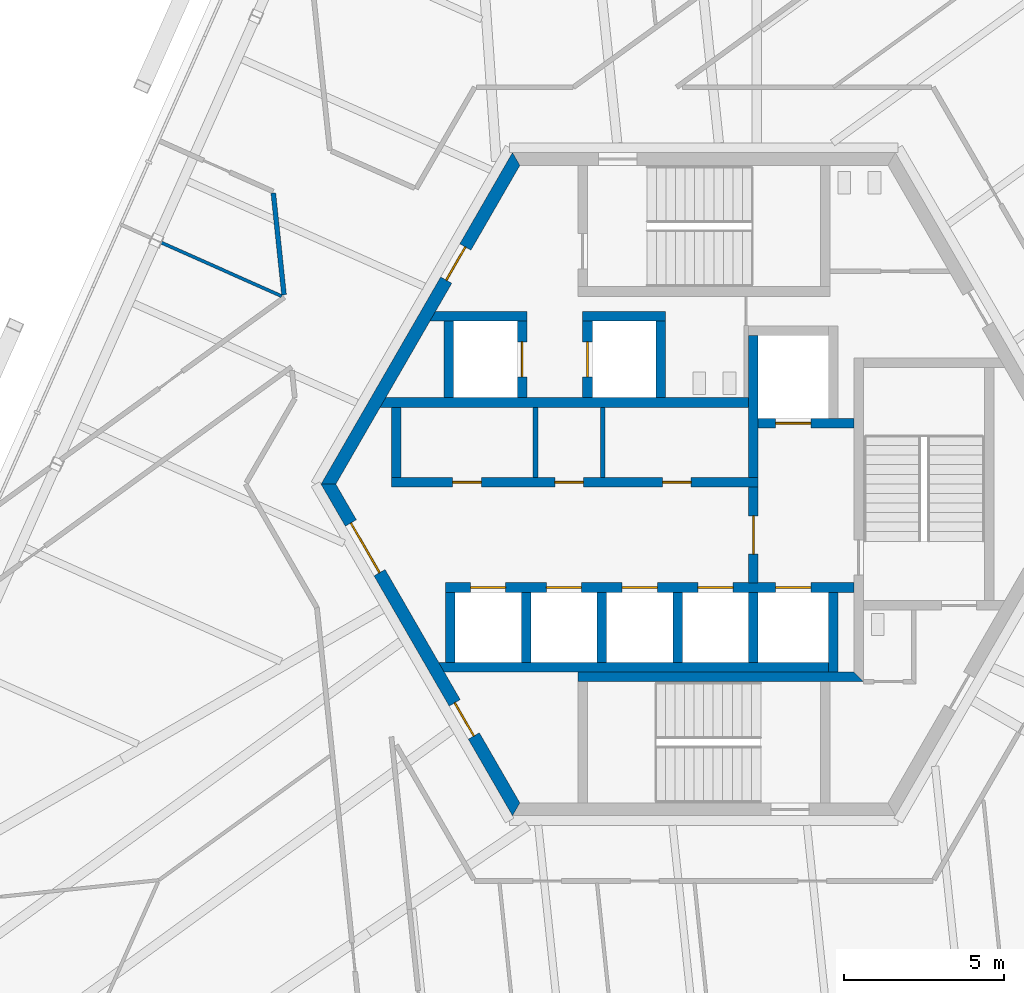
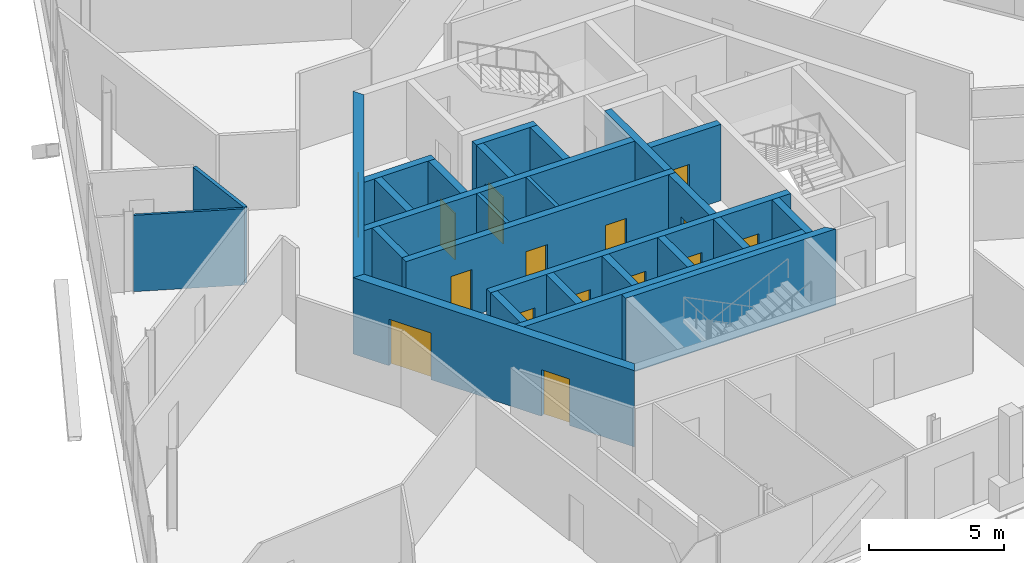
# One storey, part 12 of 18: 27 walls, 15 doors, 15 openings.
"""IFC4 building model written with IfcOpenShell, lengths in metres."""

from ifc_helpers import new_model, si_unit, direction, frame, frame_2d, origin, place, context, subcontext, project, spatial, polyline, rectangle, outline, extrude, source, transform, mapped, material, layer, layer_set, type_object, element, fill, save


model = new_model("IFC4")

# Units and contexts
model_context = context("Model", 3, precision=1e-05, world=origin(), true_north=direction((0.0, 1.0)))
body_context = subcontext(model_context, "Body", "Model", "MODEL_VIEW")
ifc_project = project(units=[si_unit("LENGTHUNIT", "METRE"), si_unit("AREAUNIT", "SQUARE_METRE"), si_unit("VOLUMEUNIT", "CUBIC_METRE"), si_unit("PLANEANGLEUNIT", "RADIAN"), si_unit("MASSUNIT", "GRAM", prefix="KILO")], contexts=[model_context])

# Site, building, storey
site_placement = place(None, origin())
site = spatial("IfcSite", under=ifc_project, at=site_placement, CompositionType="ELEMENT")
building_placement = place(site_placement, origin())
building = spatial("IfcBuilding", under=site, at=building_placement, Name="Triune Harvest Tower", CompositionType="ELEMENT")
storey_placement = place(building_placement, frame((0.0, 0.0, 230.5)))
storey = spatial("IfcBuildingStorey", under=building, at=storey_placement, Name="L60", CompositionType="ELEMENT", Elevation=230.5)

# Wall, opening, door
ifc_material_1 = material(Name="Concrete 70 MPa", Category="concrete")
ifc_layer_1 = layer(ifc_material_1, 0.39990234375)
ifc_layer_set_1 = layer_set([ifc_layer_1], Name="Concrete 70 MPa")
wall_type_1 = type_object("IfcWallType", Name="Core wall 400", PredefinedType="SHEAR", material=ifc_layer_set_1)
shared_shape_1 = source(origin(), body_context, "Body", "SweptSolid", [
    extrude(outline(polyline([(-0.115478515625, -0.199951171875), (11.884521484375, -0.199951171875), (11.653564453125, 0.199951171875), (0.115478515625, 0.199951171875), (-0.115478515625, -0.199951171875)])), origin(), (0.0, 0.0, 1.0), 3.43994140625),
])
wall_1_placement = place(storey_placement, frame((-5.884521484375, 10.1923828125, 0.0), z_axis=(0.0, 0.0, 1.0), x_axis=(-0.499996592174, -0.866027371285, 0.0)))
wall_1 = element("IfcWall", 1, at=wall_1_placement, inside=storey, type_object=wall_type_1, Name="Hexagon 2 wall", PredefinedType="SHEAR", context=body_context, shape_type="MappedRepresentation", body=[
    mapped(shared_shape_1, transform((0.0, 0.0, 0.0), scale=1.0)),
])
opening_1_placement = place(wall_1_placement, frame((3.1845703125, 0.0, 0.0)))
opening_1 = element("IfcOpeningElement", 2, at=opening_1_placement, cuts=wall_1, Name="Opening CD-SVP", PredefinedType="OPENING", context=body_context, shape_type="SweptSolid", body=[
    extrude(rectangle(XDim=1.199951171875, YDim=2.10009765625, at=frame_2d((0.60009765625, 1.050048828125))), frame((0.0, 0.2099609375, 0.0), z_axis=(0.0, -1.0, 0.0), x_axis=(1.0, 0.0, 0.0)), (0.0, 0.0, 1.0), 0.419921875),
])
ifc_material_2 = material(Name="Steel S235", Category="steel")
door_type_1 = type_object("IfcDoorType", Name="Service door 1200 FD120", OperationType="SINGLE_SWING_LEFT", PredefinedType="DOOR", material=ifc_material_2)
door_1_placement = place(opening_1_placement, frame((1.199951171875, 0.0, 0.0), z_axis=(0.0, 0.0, 1.0), x_axis=(-1.0, 0.0, 0.0)))
door_1 = element("IfcDoor", 3, at=door_1_placement, inside=storey, type_object=door_type_1, Name="Door CD-SVP", OperationType="SINGLE_SWING_RIGHT", OverallHeight=2.10009765625, OverallWidth=1.199951171875, PredefinedType="DOOR", context=body_context, shape_type="SweptSolid", body=[
    extrude(rectangle(XDim=1.199951171875, YDim=2.10009765625, at=frame_2d((0.60009765625, 1.050048828125))), frame((0.0, 0.02490234375, 0.0), z_axis=(0.0, -1.0, 0.0), x_axis=(1.0, 0.0, 0.0)), (0.0, 0.0, 1.0), 0.050048828125),
])
fill(opening_1, door_1)

# Wall, openings, doors
wall_2_placement = place(storey_placement, frame((-11.76904296875, 0.0, 0.0), z_axis=(0.0, 0.0, 1.0), x_axis=(0.499996592174, -0.866027371285, 0.0)))
wall_2 = element("IfcWall", 4, at=wall_2_placement, inside=storey, type_object=wall_type_1, Name="Hexagon 3 wall", PredefinedType="SHEAR", context=body_context, shape_type="MappedRepresentation", body=[
    mapped(shared_shape_1, transform((0.0, 0.0, 0.0), scale=1.0)),
])
opening_2_placement = place(wall_2_placement, frame((1.404541015625, 0.0, 0.0)))
opening_2 = element("IfcOpeningElement", 5, at=opening_2_placement, cuts=wall_2, Name="Opening CD-LS", PredefinedType="OPENING", context=body_context, shape_type="SweptSolid", body=[
    extrude(rectangle(XDim=1.800048828125, YDim=2.10009765625, at=frame_2d((0.89990234375, 1.050048828125))), frame((0.0, 0.2099609375, 0.0), z_axis=(0.0, -1.0, 0.0), x_axis=(1.0, 0.0, 0.0)), (0.0, 0.0, 1.0), 0.419921875),
])
opening_3_placement = place(wall_2_placement, frame((7.91455078125, 0.0, 0.0)))
opening_3 = element("IfcOpeningElement", 6, at=opening_3_placement, cuts=wall_2, Name="Opening CD-SWP", PredefinedType="OPENING", context=body_context, shape_type="SweptSolid", body=[
    extrude(rectangle(XDim=1.199951171875, YDim=2.10009765625, at=frame_2d((0.60009765625, 1.050048828125))), frame((0.0, 0.2099609375, 0.0), z_axis=(0.0, -1.0, 0.0), x_axis=(1.0, 0.0, 0.0)), (0.0, 0.0, 1.0), 0.419921875),
])
ifc_material_3 = material(Name="Steel S235", Category="steel")
door_type_2 = type_object("IfcDoorType", Name="Lobby door 1800 FD120", OperationType="DOUBLE_DOOR_DOUBLE_SWING", PredefinedType="DOOR", material=ifc_material_3)
door_2_placement = place(opening_2_placement, frame((1.800048828125, 0.0, 0.0), z_axis=(0.0, 0.0, 1.0), x_axis=(-1.0, 0.0, 0.0)))
door_2 = element("IfcDoor", 7, at=door_2_placement, inside=storey, type_object=door_type_2, Name="Door CD-LS", OperationType="DOUBLE_DOOR_DOUBLE_SWING", OverallHeight=2.10009765625, OverallWidth=1.800048828125, PredefinedType="DOOR", context=body_context, shape_type="SweptSolid", body=[
    extrude(rectangle(XDim=1.800048828125, YDim=2.10009765625, at=frame_2d((0.89990234375, 1.050048828125))), frame((0.0, 0.02490234375, 0.0), z_axis=(0.0, -1.0, 0.0), x_axis=(1.0, 0.0, 0.0)), (0.0, 0.0, 1.0), 0.050048828125),
])
fill(opening_2, door_2)
door_3_placement = place(opening_3_placement, frame((1.199951171875, 0.0, 0.0), z_axis=(0.0, 0.0, 1.0), x_axis=(-1.0, 0.0, 0.0)))
door_3 = element("IfcDoor", 8, at=door_3_placement, inside=storey, type_object=door_type_1, Name="Door CD-SWP", OperationType="SINGLE_SWING_RIGHT", OverallHeight=2.10009765625, OverallWidth=1.199951171875, PredefinedType="DOOR", context=body_context, shape_type="SweptSolid", body=[
    extrude(rectangle(XDim=1.199951171875, YDim=2.10009765625, at=frame_2d((0.60009765625, 1.050048828125))), frame((0.0, 0.02490234375, 0.0), z_axis=(0.0, -1.0, 0.0), x_axis=(1.0, 0.0, 0.0)), (0.0, 0.0, 1.0), 0.050048828125),
])
fill(opening_3, door_3)

ifc_material_4 = material(Name="Concrete 70 MPa", Category="concrete")
ifc_layer_2 = layer(ifc_material_4, 0.300048828125)
ifc_layer_set_2 = layer_set([ifc_layer_2], Name="Concrete 70 MPa")
wall_type_2 = type_object("IfcWallType", Name="Core wall 300", PredefinedType="SHEAR", material=ifc_layer_set_2)
shared_shape_2 = source(origin(), body_context, "Body", "SweptSolid", [
    extrude(rectangle(XDim=11.5, YDim=0.300048828125, at=frame_2d((5.75, 0.0))), origin(), (0.0, 0.0, 1.0), 3.43994140625),
])
wall_3_placement = place(storey_placement, frame((-9.800048828125, 0.06005859375, 0.0), z_axis=(0.0, 0.0, 1.0), x_axis=(1.0, 0.0, 0.0)))
wall_3 = element("IfcWall", 9, at=wall_3_placement, inside=storey, type_object=wall_type_2, Name="North front wall", PredefinedType="SHEAR", context=body_context, shape_type="MappedRepresentation", body=[
    mapped(shared_shape_2, transform((0.0, 0.0, 0.0), scale=1.0)),
])
opening_4_placement = place(wall_3_placement, frame((1.922607421875, 0.0, 0.0)))
opening_4 = element("IfcOpeningElement", 10, at=opening_4_placement, cuts=wall_3, Name="Opening CD-RN1", PredefinedType="OPENING", context=body_context, shape_type="SweptSolid", body=[
    extrude(rectangle(XDim=0.89990234375, YDim=2.10009765625, at=frame_2d((0.449951171875, 1.050048828125))), frame((0.0, 0.16015625, 0.0), z_axis=(0.0, -1.0, 0.0), x_axis=(1.0, 0.0, 0.0)), (0.0, 0.0, 1.0), 0.320068359375),
])
opening_5_placement = place(wall_3_placement, frame((5.125, 0.0, 0.0)))
opening_5 = element("IfcOpeningElement", 11, at=opening_5_placement, cuts=wall_3, Name="Opening CD-RN2", PredefinedType="OPENING", context=body_context, shape_type="SweptSolid", body=[
    extrude(rectangle(XDim=0.89990234375, YDim=2.10009765625, at=frame_2d((0.449951171875, 1.050048828125))), frame((0.0, 0.16015625, 0.0), z_axis=(0.0, -1.0, 0.0), x_axis=(1.0, 0.0, 0.0)), (0.0, 0.0, 1.0), 0.320068359375),
])
opening_6_placement = place(wall_3_placement, frame((8.50244140625, 0.0, 0.0)))
opening_6 = element("IfcOpeningElement", 12, at=opening_6_placement, cuts=wall_3, Name="Opening CD-RN3", PredefinedType="OPENING", context=body_context, shape_type="SweptSolid", body=[
    extrude(rectangle(XDim=0.89990234375, YDim=2.10009765625, at=frame_2d((0.449951171875, 1.050048828125))), frame((0.0, 0.16015625, 0.0), z_axis=(0.0, -1.0, 0.0), x_axis=(1.0, 0.0, 0.0)), (0.0, 0.0, 1.0), 0.320068359375),
])
ifc_material_5 = material(Name="Steel S235", Category="steel")
door_type_3 = type_object("IfcDoorType", Name="Riser door 900 FD120", OperationType="SINGLE_SWING_LEFT", PredefinedType="DOOR", material=ifc_material_5)
door_4_placement = place(opening_4_placement, frame((0.89990234375, 0.0, 0.0), z_axis=(0.0, 0.0, 1.0), x_axis=(-1.0, 0.0, 0.0)))
door_4 = element("IfcDoor", 13, at=door_4_placement, inside=storey, type_object=door_type_3, Name="Door CD-RN1", OperationType="SINGLE_SWING_RIGHT", OverallHeight=2.10009765625, OverallWidth=0.89990234375, PredefinedType="DOOR", context=body_context, shape_type="SweptSolid", body=[
    extrude(rectangle(XDim=0.89990234375, YDim=2.10009765625, at=frame_2d((0.449951171875, 1.050048828125))), frame((0.0, 0.02490234375, 0.0), z_axis=(0.0, -1.0, 0.0), x_axis=(1.0, 0.0, 0.0)), (0.0, 0.0, 1.0), 0.050048828125),
])
fill(opening_4, door_4)
door_5_placement = place(opening_5_placement, frame((0.89990234375, 0.0, 0.0), z_axis=(0.0, 0.0, 1.0), x_axis=(-1.0, 0.0, 0.0)))
door_5 = element("IfcDoor", 14, at=door_5_placement, inside=storey, type_object=door_type_3, Name="Door CD-RN2", OperationType="SINGLE_SWING_RIGHT", OverallHeight=2.10009765625, OverallWidth=0.89990234375, PredefinedType="DOOR", context=body_context, shape_type="SweptSolid", body=[
    extrude(rectangle(XDim=0.89990234375, YDim=2.10009765625, at=frame_2d((0.449951171875, 1.050048828125))), frame((0.0, 0.02490234375, 0.0), z_axis=(0.0, -1.0, 0.0), x_axis=(1.0, 0.0, 0.0)), (0.0, 0.0, 1.0), 0.050048828125),
])
fill(opening_5, door_5)
door_6_placement = place(opening_6_placement, frame((0.89990234375, 0.0, 0.0), z_axis=(0.0, 0.0, 1.0), x_axis=(-1.0, 0.0, 0.0)))
door_6 = element("IfcDoor", 15, at=door_6_placement, inside=storey, type_object=door_type_3, Name="Door CD-RN3", OperationType="SINGLE_SWING_RIGHT", OverallHeight=2.10009765625, OverallWidth=0.89990234375, PredefinedType="DOOR", context=body_context, shape_type="SweptSolid", body=[
    extrude(rectangle(XDim=0.89990234375, YDim=2.10009765625, at=frame_2d((0.449951171875, 1.050048828125))), frame((0.0, 0.02490234375, 0.0), z_axis=(0.0, -1.0, 0.0), x_axis=(1.0, 0.0, 0.0)), (0.0, 0.0, 1.0), 0.050048828125),
])
fill(opening_6, door_6)

# Walls
shared_shape_3 = source(origin(), body_context, "Body", "SweptSolid", [
    extrude(outline(polyline([(11.199951171875, -0.14990234375), (-0.34912109375, -0.14990234375), (-0.17578125, 0.14990234375), (11.199951171875, 0.14990234375), (11.199951171875, -0.14990234375)])), origin(), (0.0, 0.0, 1.0), 3.43994140625),
])
wall_4_placement = place(storey_placement, frame((-9.800048828125, 2.56005859375, 0.0), z_axis=(0.0, 0.0, 1.0), x_axis=(1.0, 0.0, 0.0)))
element("IfcWall", 16, at=wall_4_placement, inside=storey, type_object=wall_type_2, Name="North back wall", PredefinedType="SHEAR", context=body_context, shape_type="MappedRepresentation", body=[
    mapped(shared_shape_3, transform((0.0, 0.0, 0.0), scale=1.0)),
])
shared_shape_4 = source(origin(), body_context, "Body", "SweptSolid", [
    extrude(rectangle(XDim=2.5, YDim=0.300048828125, at=frame_2d((1.25, 0.0))), origin(), (0.0, 0.0, 1.0), 3.43994140625),
])
wall_5_placement = place(storey_placement, frame((4.050048828125, -5.889892578125, 0.0), z_axis=(0.0, 0.0, 1.0), x_axis=(0.0, 1.0, 0.0)))
element("IfcWall", 17, at=wall_5_placement, inside=storey, type_object=wall_type_2, Name="Ff2 east wall", PredefinedType="SHEAR", context=body_context, shape_type="MappedRepresentation", body=[
    mapped(shared_shape_4, transform((0.0, 0.0, 0.0), scale=1.0)),
])
shared_shape_5 = source(origin(), body_context, "Body", "SweptSolid", [
    extrude(rectangle(XDim=4.449951171875, YDim=0.300048828125, at=frame_2d((2.22509765625, 0.0))), origin(), (0.0, 0.0, 1.0), 3.43994140625),
])
wall_6_placement = place(storey_placement, frame((1.550048828125, 0.2099609375, 0.0), z_axis=(0.0, 0.0, 1.0), x_axis=(0.0, 1.0, 0.0)))
element("IfcWall", 18, at=wall_6_placement, inside=storey, type_object=wall_type_2, Name="Ff1 west wall", PredefinedType="SHEAR", context=body_context, shape_type="MappedRepresentation", body=[
    mapped(shared_shape_5, transform((0.0, 0.0, 0.0), scale=1.0)),
])

# Wall, opening, door
shared_shape_6 = source(origin(), body_context, "Body", "SweptSolid", [
    extrude(rectangle(XDim=3.0, YDim=0.300048828125, at=frame_2d((1.5, 0.0))), origin(), (0.0, 0.0, 1.0), 3.43994140625),
])
wall_7_placement = place(storey_placement, frame((1.699951171875, 1.909912109375, 0.0), z_axis=(0.0, 0.0, 1.0), x_axis=(1.0, 0.0, 0.0)))
wall_7 = element("IfcWall", 19, at=wall_7_placement, inside=storey, type_object=wall_type_2, Name="Ff1 front wall", PredefinedType="SHEAR", context=body_context, shape_type="MappedRepresentation", body=[
    mapped(shared_shape_6, transform((0.0, 0.0, 0.0), scale=1.0)),
])
opening_7_placement = place(wall_7_placement, frame((0.550048828125, 0.0, 0.0)))
opening_7 = element("IfcOpeningElement", 20, at=opening_7_placement, cuts=wall_7, Name="Opening LD-FF1-60", PredefinedType="OPENING", context=body_context, shape_type="SweptSolid", body=[
    extrude(rectangle(XDim=1.10009765625, YDim=2.10009765625, at=frame_2d((0.550048828125, 1.050048828125))), frame((0.0, 0.16015625, 0.0), z_axis=(0.0, -1.0, 0.0), x_axis=(1.0, 0.0, 0.0)), (0.0, 0.0, 1.0), 0.320068359375),
])
ifc_material_6 = material(Name="Stainless steel AISI 304", Category="steel")
door_type_4 = type_object("IfcDoorType", Name="Landing door 1100 x 2100", OperationType="DOUBLE_DOOR_SLIDING", PredefinedType="DOOR", material=ifc_material_6)
door_7_placement = place(opening_7_placement, origin())
door_7 = element("IfcDoor", 21, at=door_7_placement, inside=storey, type_object=door_type_4, Name="Door LD-FF1-60", OperationType="DOUBLE_DOOR_SLIDING", OverallHeight=2.10009765625, OverallWidth=1.10009765625, PredefinedType="DOOR", context=body_context, shape_type="SweptSolid", body=[
    extrude(rectangle(XDim=1.10009765625, YDim=2.10009765625, at=frame_2d((0.550048828125, 1.050048828125))), frame((0.0, 0.02490234375, 0.0), z_axis=(0.0, -1.0, 0.0), x_axis=(1.0, 0.0, 0.0)), (0.0, 0.0, 1.0), 0.050048828125),
])
fill(opening_7, door_7)

wall_8_placement = place(storey_placement, frame((1.550048828125, -3.090087890625, 0.0), z_axis=(0.0, 0.0, 1.0), x_axis=(0.0, 1.0, 0.0)))
wall_8 = element("IfcWall", 22, at=wall_8_placement, inside=storey, type_object=wall_type_2, Name="Ff lobby west wall", PredefinedType="SHEAR", context=body_context, shape_type="MappedRepresentation", body=[
    mapped(shared_shape_6, transform((0.0, 0.0, 0.0), scale=1.0)),
])
opening_8_placement = place(wall_8_placement, frame((0.89990234375, 0.0, 0.0)))
opening_8 = element("IfcOpeningElement", 23, at=opening_8_placement, cuts=wall_8, Name="Opening CD-FL", PredefinedType="OPENING", context=body_context, shape_type="SweptSolid", body=[
    extrude(rectangle(XDim=1.199951171875, YDim=2.10009765625, at=frame_2d((0.60009765625, 1.050048828125))), frame((0.0, 0.16015625, 0.0), z_axis=(0.0, -1.0, 0.0), x_axis=(1.0, 0.0, 0.0)), (0.0, 0.0, 1.0), 0.320068359375),
])
ifc_material_7 = material(Name="Steel S235", Category="steel")
door_type_5 = type_object("IfcDoorType", Name="Firefighters' lobby door 1200 FD120", OperationType="SINGLE_SWING_LEFT", PredefinedType="DOOR", material=ifc_material_7)
door_8_placement = place(opening_8_placement, frame((1.199951171875, 0.0, 0.0), z_axis=(0.0, 0.0, 1.0), x_axis=(-1.0, 0.0, 0.0)))
door_8 = element("IfcDoor", 24, at=door_8_placement, inside=storey, type_object=door_type_5, Name="Door CD-FL", OperationType="SINGLE_SWING_RIGHT", OverallHeight=2.10009765625, OverallWidth=1.199951171875, PredefinedType="DOOR", context=body_context, shape_type="SweptSolid", body=[
    extrude(rectangle(XDim=1.199951171875, YDim=2.10009765625, at=frame_2d((0.60009765625, 1.050048828125))), frame((0.0, 0.02490234375, 0.0), z_axis=(0.0, -1.0, 0.0), x_axis=(1.0, 0.0, 0.0)), (0.0, 0.0, 1.0), 0.050048828125),
])
fill(opening_8, door_8)

# Wall, openings, doors
shared_shape_7 = source(origin(), body_context, "Body", "SweptSolid", [
    extrude(rectangle(XDim=12.800048828125, YDim=0.300048828125, at=frame_2d((6.39990234375, 0.0))), origin(), (0.0, 0.0, 1.0), 3.43994140625),
])
wall_9_placement = place(storey_placement, frame((-8.10009765625, -3.239990234375, 0.0), z_axis=(0.0, 0.0, 1.0), x_axis=(1.0, 0.0, 0.0)))
wall_9 = element("IfcWall", 25, at=wall_9_placement, inside=storey, type_object=wall_type_2, Name="South front wall", PredefinedType="SHEAR", context=body_context, shape_type="MappedRepresentation", body=[
    mapped(shared_shape_7, transform((0.0, 0.0, 0.0), scale=1.0)),
])
opening_9_placement = place(wall_9_placement, frame((0.78759765625, 0.0, 0.0)))
opening_9 = element("IfcOpeningElement", 26, at=opening_9_placement, cuts=wall_9, Name="Opening LD-HR1-60", PredefinedType="OPENING", context=body_context, shape_type="SweptSolid", body=[
    extrude(rectangle(XDim=1.10009765625, YDim=2.10009765625, at=frame_2d((0.550048828125, 1.050048828125))), frame((0.0, 0.16015625, 0.0), z_axis=(0.0, -1.0, 0.0), x_axis=(1.0, 0.0, 0.0)), (0.0, 0.0, 1.0), 0.320068359375),
])
opening_10_placement = place(wall_9_placement, frame((3.16259765625, 0.0, 0.0)))
opening_10 = element("IfcOpeningElement", 27, at=opening_10_placement, cuts=wall_9, Name="Opening LD-HR2-60", PredefinedType="OPENING", context=body_context, shape_type="SweptSolid", body=[
    extrude(rectangle(XDim=1.10009765625, YDim=2.10009765625, at=frame_2d((0.550048828125, 1.050048828125))), frame((0.0, 0.16015625, 0.0), z_axis=(0.0, -1.0, 0.0), x_axis=(1.0, 0.0, 0.0)), (0.0, 0.0, 1.0), 0.320068359375),
])
opening_11_placement = place(wall_9_placement, frame((5.53759765625, 0.0, 0.0)))
opening_11 = element("IfcOpeningElement", 28, at=opening_11_placement, cuts=wall_9, Name="Opening LD-HR3-60", PredefinedType="OPENING", context=body_context, shape_type="SweptSolid", body=[
    extrude(rectangle(XDim=1.10009765625, YDim=2.10009765625, at=frame_2d((0.550048828125, 1.050048828125))), frame((0.0, 0.16015625, 0.0), z_axis=(0.0, -1.0, 0.0), x_axis=(1.0, 0.0, 0.0)), (0.0, 0.0, 1.0), 0.320068359375),
])
opening_12_placement = place(wall_9_placement, frame((7.91259765625, 0.0, 0.0)))
opening_12 = element("IfcOpeningElement", 29, at=opening_12_placement, cuts=wall_9, Name="Opening LD-HR4-60", PredefinedType="OPENING", context=body_context, shape_type="SweptSolid", body=[
    extrude(rectangle(XDim=1.10009765625, YDim=2.10009765625, at=frame_2d((0.550048828125, 1.050048828125))), frame((0.0, 0.16015625, 0.0), z_axis=(0.0, -1.0, 0.0), x_axis=(1.0, 0.0, 0.0)), (0.0, 0.0, 1.0), 0.320068359375),
])
opening_13_placement = place(wall_9_placement, frame((10.35009765625, 0.0, 0.0)))
opening_13 = element("IfcOpeningElement", 30, at=opening_13_placement, cuts=wall_9, Name="Opening LD-FF2-60", PredefinedType="OPENING", context=body_context, shape_type="SweptSolid", body=[
    extrude(rectangle(XDim=1.10009765625, YDim=2.10009765625, at=frame_2d((0.550048828125, 1.050048828125))), frame((0.0, 0.16015625, 0.0), z_axis=(0.0, -1.0, 0.0), x_axis=(1.0, 0.0, 0.0)), (0.0, 0.0, 1.0), 0.320068359375),
])
door_9_placement = place(opening_9_placement, origin())
door_9 = element("IfcDoor", 31, at=door_9_placement, inside=storey, type_object=door_type_4, Name="Door LD-HR1-60", OperationType="DOUBLE_DOOR_SLIDING", OverallHeight=2.10009765625, OverallWidth=1.10009765625, PredefinedType="DOOR", context=body_context, shape_type="SweptSolid", body=[
    extrude(rectangle(XDim=1.10009765625, YDim=2.10009765625, at=frame_2d((0.550048828125, 1.050048828125))), frame((0.0, 0.02490234375, 0.0), z_axis=(0.0, -1.0, 0.0), x_axis=(1.0, 0.0, 0.0)), (0.0, 0.0, 1.0), 0.050048828125),
])
fill(opening_9, door_9)
door_10_placement = place(opening_10_placement, origin())
door_10 = element("IfcDoor", 32, at=door_10_placement, inside=storey, type_object=door_type_4, Name="Door LD-HR2-60", OperationType="DOUBLE_DOOR_SLIDING", OverallHeight=2.10009765625, OverallWidth=1.10009765625, PredefinedType="DOOR", context=body_context, shape_type="SweptSolid", body=[
    extrude(rectangle(XDim=1.10009765625, YDim=2.10009765625, at=frame_2d((0.550048828125, 1.050048828125))), frame((0.0, 0.02490234375, 0.0), z_axis=(0.0, -1.0, 0.0), x_axis=(1.0, 0.0, 0.0)), (0.0, 0.0, 1.0), 0.050048828125),
])
fill(opening_10, door_10)
door_11_placement = place(opening_11_placement, origin())
door_11 = element("IfcDoor", 33, at=door_11_placement, inside=storey, type_object=door_type_4, Name="Door LD-HR3-60", OperationType="DOUBLE_DOOR_SLIDING", OverallHeight=2.10009765625, OverallWidth=1.10009765625, PredefinedType="DOOR", context=body_context, shape_type="SweptSolid", body=[
    extrude(rectangle(XDim=1.10009765625, YDim=2.10009765625, at=frame_2d((0.550048828125, 1.050048828125))), frame((0.0, 0.02490234375, 0.0), z_axis=(0.0, -1.0, 0.0), x_axis=(1.0, 0.0, 0.0)), (0.0, 0.0, 1.0), 0.050048828125),
])
fill(opening_11, door_11)
door_12_placement = place(opening_12_placement, origin())
door_12 = element("IfcDoor", 34, at=door_12_placement, inside=storey, type_object=door_type_4, Name="Door LD-HR4-60", OperationType="DOUBLE_DOOR_SLIDING", OverallHeight=2.10009765625, OverallWidth=1.10009765625, PredefinedType="DOOR", context=body_context, shape_type="SweptSolid", body=[
    extrude(rectangle(XDim=1.10009765625, YDim=2.10009765625, at=frame_2d((0.550048828125, 1.050048828125))), frame((0.0, 0.02490234375, 0.0), z_axis=(0.0, -1.0, 0.0), x_axis=(1.0, 0.0, 0.0)), (0.0, 0.0, 1.0), 0.050048828125),
])
fill(opening_12, door_12)
door_13_placement = place(opening_13_placement, origin())
door_13 = element("IfcDoor", 35, at=door_13_placement, inside=storey, type_object=door_type_4, Name="Door LD-FF2-60", OperationType="DOUBLE_DOOR_SLIDING", OverallHeight=2.10009765625, OverallWidth=1.10009765625, PredefinedType="DOOR", context=body_context, shape_type="SweptSolid", body=[
    extrude(rectangle(XDim=1.10009765625, YDim=2.10009765625, at=frame_2d((0.550048828125, 1.050048828125))), frame((0.0, 0.02490234375, 0.0), z_axis=(0.0, -1.0, 0.0), x_axis=(1.0, 0.0, 0.0)), (0.0, 0.0, 1.0), 0.050048828125),
])
fill(opening_13, door_13)

# Walls
shared_shape_8 = source(origin(), body_context, "Body", "SweptSolid", [
    extrude(outline(polyline([(12.0, -0.14990234375), (-0.039794921875, -0.14990234375), (-0.212890625, 0.14990234375), (12.0, 0.14990234375), (12.0, -0.14990234375)])), origin(), (0.0, 0.0, 1.0), 3.43994140625),
])
wall_10_placement = place(storey_placement, frame((-8.10009765625, -5.739990234375, 0.0), z_axis=(0.0, 0.0, 1.0), x_axis=(1.0, 0.0, 0.0)))
element("IfcWall", 36, at=wall_10_placement, inside=storey, type_object=wall_type_2, Name="South back wall", PredefinedType="SHEAR", context=body_context, shape_type="MappedRepresentation", body=[
    mapped(shared_shape_8, transform((0.0, 0.0, 0.0), scale=1.0)),
])
shared_shape_9 = source(origin(), body_context, "Body", "SweptSolid", [
    extrude(rectangle(XDim=2.2001953125, YDim=0.300048828125, at=frame_2d((1.10009765625, 0.0))), origin(), (0.0, 0.0, 1.0), 3.43994140625),
])
for number, where, z_axis, x_axis, name in (
    (37, (-7.949951171875, -5.590087890625, 0.0), (0.0, 0.0, 1.0), (0.0, 1.0, 0.0), "South end west wall"),
    (38, (1.550048828125, -5.590087890625, 0.0), (0.0, 0.0, 1.0), (0.0, 1.0, 0.0), "Ff2 west wall"),
    (39, (-5.574951171875, -5.590087890625, 0.0), (0.0, 0.0, 1.0), (0.0, 1.0, 0.0), "South cross 1 wall"),
    (40, (-3.199951171875, -5.590087890625, 0.0), (0.0, 0.0, 1.0), (0.0, 1.0, 0.0), "South cross 2 wall"),
    (41, (-0.824951171875, -5.590087890625, 0.0), (0.0, 0.0, 1.0), (0.0, 1.0, 0.0), "South cross 3 wall"),
):
    element("IfcWall", number, at=place(storey_placement, frame(where, z_axis=z_axis, x_axis=x_axis)), inside=storey, type_object=wall_type_2, Name=name, PredefinedType="SHEAR", context=body_context, shape_type="MappedRepresentation", body=[
        mapped(shared_shape_9, transform((0.0, 0.0, 0.0), scale=1.0)),
    ])
shared_shape_10 = source(origin(), body_context, "Body", "SweptSolid", [
    extrude(rectangle(XDim=2.199951171875, YDim=0.300048828125, at=frame_2d((1.10009765625, 0.0))), origin(), (0.0, 0.0, 1.0), 3.43994140625),
])
wall_11_placement = place(storey_placement, frame((-9.64990234375, 0.2099609375, 0.0), z_axis=(0.0, 0.0, 1.0), x_axis=(0.0, 1.0, 0.0)))
element("IfcWall", 42, at=wall_11_placement, inside=storey, type_object=wall_type_2, Name="North end west wall", PredefinedType="SHEAR", context=body_context, shape_type="MappedRepresentation", body=[
    mapped(shared_shape_10, transform((0.0, 0.0, 0.0), scale=1.0)),
])
shared_shape_11 = source(origin(), body_context, "Body", "SweptSolid", [
    extrude(outline(polyline([(0.0, -0.14990234375), (8.949951171875, -0.14990234375), (8.64990234375, 0.14990234375), (0.0, 0.14990234375), (0.0, -0.14990234375)])), origin(), (0.0, 0.0, 1.0), 3.43994140625),
])
wall_12_placement = place(storey_placement, frame((-3.949951171875, -6.0400390625, 0.0), z_axis=(0.0, 0.0, 1.0), x_axis=(1.0, 0.0, 0.0)))
element("IfcWall", 43, at=wall_12_placement, inside=storey, type_object=wall_type_2, Name="Stair s north wall", PredefinedType="SHEAR", context=body_context, shape_type="MappedRepresentation", body=[
    mapped(shared_shape_11, transform((0.0, 0.0, 0.0), scale=1.0)),
])
shared_shape_12 = source(origin(), body_context, "Body", "SweptSolid", [
    extrude(outline(polyline([(2.60009765625, -0.14990234375), (-0.440185546875, -0.14990234375), (-0.26708984375, 0.14990234375), (2.60009765625, 0.14990234375), (2.60009765625, -0.14990234375)])), origin(), (0.0, 0.0, 1.0), 3.43994140625),
])
wall_13_placement = place(storey_placement, frame((-8.14990234375, 5.260009765625, 0.0), z_axis=(0.0, 0.0, 1.0), x_axis=(1.0, 0.0, 0.0)))
element("IfcWall", 44, at=wall_13_placement, inside=storey, type_object=wall_type_2, Name="Sv1 north wall", PredefinedType="SHEAR", context=body_context, shape_type="MappedRepresentation", body=[
    mapped(shared_shape_12, transform((0.0, 0.0, 0.0), scale=1.0)),
])
shared_shape_13 = source(origin(), body_context, "Body", "SweptSolid", [
    extrude(rectangle(XDim=2.400146484375, YDim=0.300048828125, at=frame_2d((1.2001953125, 0.0))), origin(), (0.0, 0.0, 1.0), 3.43994140625),
])
wall_14_placement = place(storey_placement, frame((-8.0, 2.7099609375, 0.0), z_axis=(0.0, 0.0, 1.0), x_axis=(0.0, 1.0, 0.0)))
element("IfcWall", 45, at=wall_14_placement, inside=storey, type_object=wall_type_2, Name="Sv1 west wall", PredefinedType="SHEAR", context=body_context, shape_type="MappedRepresentation", body=[
    mapped(shared_shape_13, transform((0.0, 0.0, 0.0), scale=1.0)),
])

# Wall, opening, door
wall_15_placement = place(storey_placement, frame((-5.699951171875, 2.7099609375, 0.0), z_axis=(0.0, 0.0, 1.0), x_axis=(0.0, 1.0, 0.0)))
wall_15 = element("IfcWall", 46, at=wall_15_placement, inside=storey, type_object=wall_type_2, Name="Sv1 east wall", PredefinedType="SHEAR", context=body_context, shape_type="MappedRepresentation", body=[
    mapped(shared_shape_13, transform((0.0, 0.0, 0.0), scale=1.0)),
])
opening_14_placement = place(wall_15_placement, frame((0.64990234375, 0.0, 0.0)))
opening_14 = element("IfcOpeningElement", 47, at=opening_14_placement, cuts=wall_15, Name="Opening LD-SV1-60", PredefinedType="OPENING", context=body_context, shape_type="SweptSolid", body=[
    extrude(rectangle(XDim=1.10009765625, YDim=2.10009765625, at=frame_2d((0.550048828125, 1.050048828125))), frame((0.0, 0.16015625, 0.0), z_axis=(0.0, -1.0, 0.0), x_axis=(1.0, 0.0, 0.0)), (0.0, 0.0, 1.0), 0.320068359375),
])
door_14_placement = place(opening_14_placement, origin())
door_14 = element("IfcDoor", 48, at=door_14_placement, inside=storey, type_object=door_type_4, Name="Door LD-SV1-60", OperationType="DOUBLE_DOOR_SLIDING", OverallHeight=2.10009765625, OverallWidth=1.10009765625, PredefinedType="DOOR", context=body_context, shape_type="SweptSolid", body=[
    extrude(rectangle(XDim=1.10009765625, YDim=2.10009765625, at=frame_2d((0.550048828125, 1.050048828125))), frame((0.0, 0.02490234375, 0.0), z_axis=(0.0, -1.0, 0.0), x_axis=(1.0, 0.0, 0.0)), (0.0, 0.0, 1.0), 0.050048828125),
])
fill(opening_14, door_14)

wall_16_placement = place(storey_placement, frame((-3.64990234375, 2.7099609375, 0.0), z_axis=(0.0, 0.0, 1.0), x_axis=(0.0, 1.0, 0.0)))
wall_16 = element("IfcWall", 49, at=wall_16_placement, inside=storey, type_object=wall_type_2, Name="Sv2 west wall", PredefinedType="SHEAR", context=body_context, shape_type="MappedRepresentation", body=[
    mapped(shared_shape_13, transform((0.0, 0.0, 0.0), scale=1.0)),
])
opening_15_placement = place(wall_16_placement, frame((0.64990234375, 0.0, 0.0)))
opening_15 = element("IfcOpeningElement", 50, at=opening_15_placement, cuts=wall_16, Name="Opening LD-SV2-60", PredefinedType="OPENING", context=body_context, shape_type="SweptSolid", body=[
    extrude(rectangle(XDim=1.10009765625, YDim=2.10009765625, at=frame_2d((0.550048828125, 1.050048828125))), frame((0.0, 0.16015625, 0.0), z_axis=(0.0, -1.0, 0.0), x_axis=(1.0, 0.0, 0.0)), (0.0, 0.0, 1.0), 0.320068359375),
])
door_15_placement = place(opening_15_placement, origin())
door_15 = element("IfcDoor", 51, at=door_15_placement, inside=storey, type_object=door_type_4, Name="Door LD-SV2-60", OperationType="DOUBLE_DOOR_SLIDING", OverallHeight=2.10009765625, OverallWidth=1.10009765625, PredefinedType="DOOR", context=body_context, shape_type="SweptSolid", body=[
    extrude(rectangle(XDim=1.10009765625, YDim=2.10009765625, at=frame_2d((0.550048828125, 1.050048828125))), frame((0.0, 0.02490234375, 0.0), z_axis=(0.0, -1.0, 0.0), x_axis=(1.0, 0.0, 0.0)), (0.0, 0.0, 1.0), 0.050048828125),
])
fill(opening_15, door_15)

# Walls
wall_17_placement = place(storey_placement, frame((-1.35009765625, 2.7099609375, 0.0), z_axis=(0.0, 0.0, 1.0), x_axis=(0.0, 1.0, 0.0)))
element("IfcWall", 52, at=wall_17_placement, inside=storey, type_object=wall_type_2, Name="Sv2 east wall", PredefinedType="SHEAR", context=body_context, shape_type="MappedRepresentation", body=[
    mapped(shared_shape_13, transform((0.0, 0.0, 0.0), scale=1.0)),
])
shared_shape_14 = source(origin(), body_context, "Body", "SweptSolid", [
    extrude(rectangle(XDim=2.60009765625, YDim=0.300048828125, at=frame_2d((1.300048828125, 0.0))), origin(), (0.0, 0.0, 1.0), 3.43994140625),
])
wall_18_placement = place(storey_placement, frame((-3.800048828125, 5.260009765625, 0.0), z_axis=(0.0, 0.0, 1.0), x_axis=(1.0, 0.0, 0.0)))
element("IfcWall", 53, at=wall_18_placement, inside=storey, type_object=wall_type_2, Name="Sv2 north wall", PredefinedType="SHEAR", context=body_context, shape_type="MappedRepresentation", body=[
    mapped(shared_shape_14, transform((0.0, 0.0, 0.0), scale=1.0)),
])
ifc_material_8 = material(Name="Concrete masonry unit", Category="masonry")
ifc_layer_3 = layer(ifc_material_8, 0.14990234375)
ifc_layer_set_3 = layer_set([ifc_layer_3], Name="Concrete masonry unit")
wall_type_3 = type_object("IfcWallType", Name="Block partition 150", PredefinedType="PARTITIONING", material=ifc_layer_set_3)
shared_shape_15 = source(origin(), body_context, "Body", "SweptSolid", [
    extrude(rectangle(XDim=2.199951171875, YDim=0.14990234375, at=frame_2d((1.10009765625, 0.0))), origin(), (0.0, 0.0, 1.0), 3.43994140625),
])
for number, where, z_axis, x_axis, name in (
    (54, (-5.280029296875, 0.2099609375, 0.0), (0.0, 0.0, 1.0), (0.0, 1.0, 0.0), "Row n part 1 wall"),
    (55, (-3.169921875, 0.2099609375, 0.0), (0.0, 0.0, 1.0), (0.0, 1.0, 0.0), "Row n part 2 wall"),
):
    element("IfcWall", number, at=place(storey_placement, frame(where, z_axis=z_axis, x_axis=x_axis)), inside=storey, type_object=wall_type_3, Name=name, PredefinedType="PARTITIONING", context=body_context, shape_type="MappedRepresentation", body=[
        mapped(shared_shape_15, transform((0.0, 0.0, 0.0), scale=1.0)),
    ])
ifc_material_9 = material(Name="Gypsum board on steel studs", Category="steel")
ifc_layer_4 = layer(ifc_material_9, 0.14990234375)
ifc_layer_set_4 = layer_set([ifc_layer_4], Name="Gypsum board on steel studs")
wall_type_4 = type_object("IfcWallType", Name="Fire Partition 150 mm", PredefinedType="PARTITIONING", material=ifc_layer_set_4)
shared_shape_16 = source(origin(), body_context, "Body", "SweptSolid", [
    extrude(rectangle(XDim=3.20654296875, YDim=0.14990234375, at=frame_2d((1.603271484375, 0.0))), origin(), (0.0, 0.0, 1.0), 3.43994140625),
])
wall_19_placement = place(storey_placement, frame((-13.496826171875, 9.125244140625, 0.0), z_axis=(0.0, 0.0, 1.0), x_axis=(0.104538138574, -0.994520878405, 0.0)))
element("IfcWall", 56, at=wall_19_placement, inside=storey, type_object=wall_type_4, Name="Partition L60 001", PredefinedType="PARTITIONING", context=body_context, shape_type="MappedRepresentation", body=[
    mapped(shared_shape_16, transform((0.0, 0.0, 0.0), scale=1.0)),
])
ifc_material_10 = material(Name="Gypsum board on steel studs", Category="steel")
ifc_layer_5 = layer(ifc_material_10, 0.10009765625)
ifc_layer_set_5 = layer_set([ifc_layer_5], Name="Gypsum board on steel studs")
wall_type_5 = type_object("IfcWallType", Name="Partition 100 mm", PredefinedType="PARTITIONING", material=ifc_layer_set_5)
shared_shape_17 = source(origin(), body_context, "Body", "SweptSolid", [
    extrude(rectangle(XDim=4.132080078125, YDim=0.10009765625, at=frame_2d((2.06591796875, 0.0))), origin(), (0.0, 0.0, 1.0), 3.43994140625),
])
wall_20_placement = place(storey_placement, frame((-17.010498046875, 7.573486328125, 0.0), z_axis=(0.0, 0.0, 1.0), x_axis=(0.91354822231, -0.406730433474, 0.0)))
element("IfcWall", 57, at=wall_20_placement, inside=storey, type_object=wall_type_5, Name="Partition L60 017", PredefinedType="PARTITIONING", context=body_context, shape_type="MappedRepresentation", body=[
    mapped(shared_shape_17, transform((0.0, 0.0, 0.0), scale=1.0)),
])

save(model, "model.ifc")
